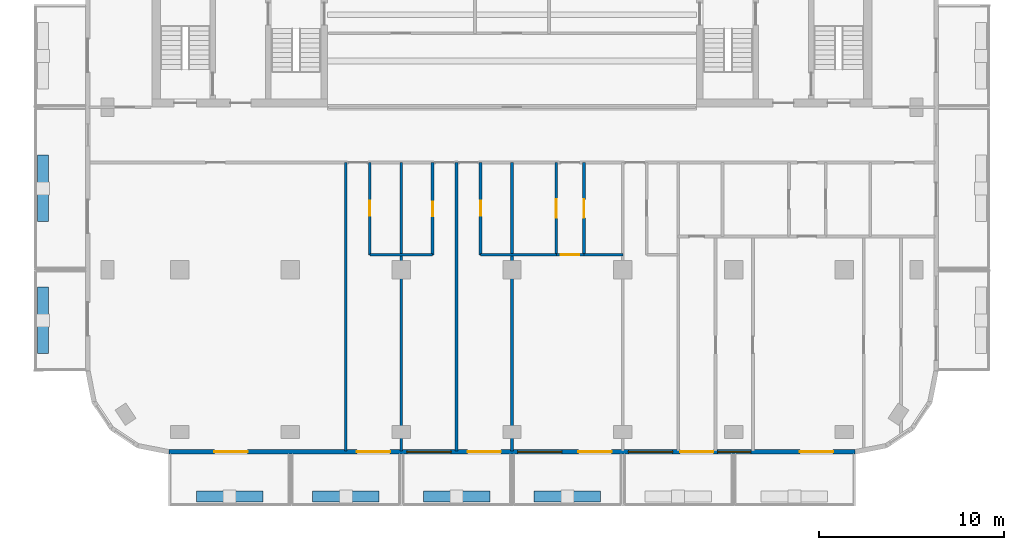
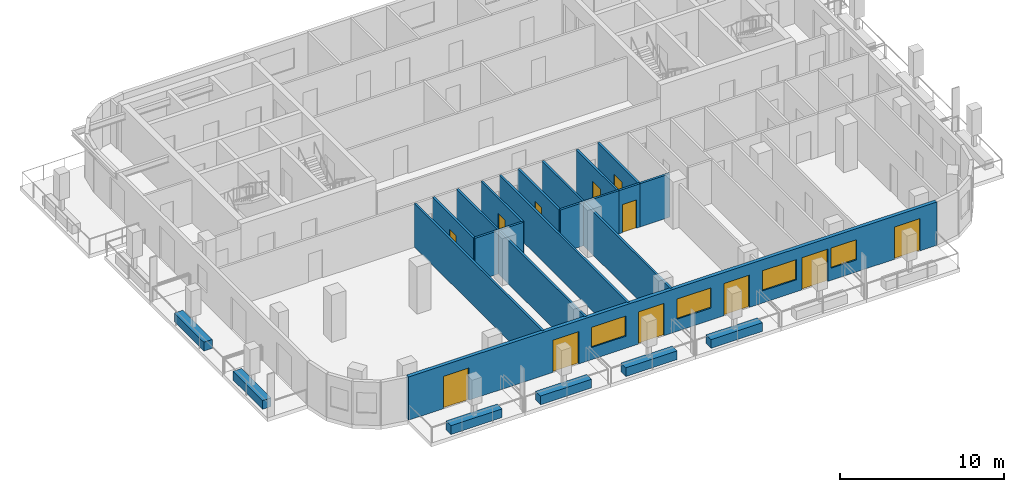
# One storey, part 2 of 11: 20 walls, 12 doors, 4 windows, 16 openings.
"""IFC4 building model written with IfcOpenShell, lengths in metres."""

from ifc_helpers import new_model, si_unit, direction, frame, frame_2d, origin, place, context, subcontext, project, spatial, rectangle, extrude, material, layer, layer_set, type_object, element, fill, save


model = new_model("IFC4")

# Units and contexts
model_context = context("Model", 3, precision=1e-05, world=origin(), true_north=direction((0.0, 1.0)))
body_context = subcontext(model_context, "Body", "Model", "MODEL_VIEW")
ifc_project = project(units=[si_unit("LENGTHUNIT", "METRE"), si_unit("AREAUNIT", "SQUARE_METRE"), si_unit("VOLUMEUNIT", "CUBIC_METRE"), si_unit("PLANEANGLEUNIT", "RADIAN"), si_unit("MASSUNIT", "GRAM", prefix="KILO")], contexts=[model_context])

# Site, building, storey
site_placement = place(None, origin())
site = spatial("IfcSite", under=ifc_project, at=site_placement, CompositionType="ELEMENT")
building_placement = place(site_placement, origin())
building = spatial("IfcBuilding", under=site, at=building_placement, Name="Torana Hotel and Residences", CompositionType="ELEMENT")
storey_placement = place(building_placement, frame((0.0, 0.0, 266.60009765625)))
storey = spatial("IfcBuildingStorey", under=building, at=storey_placement, Name="L70", CompositionType="ELEMENT", Elevation=266.60009765625)

# Wall, openings, doors, windows
ifc_material_1 = material(Name="Black aluminium composite panel", Category="aluminium")
ifc_layer_1 = layer(ifc_material_1, 0.00390625, Name="Cladding", Category="cladding")
ifc_material_2 = material(Name="Ventilated air cavity")
ifc_layer_2 = layer(ifc_material_2, 0.0400390625, Name="Ventilated cavity", Category="cavity")
ifc_material_3 = material(Name="Mineral wool insulation")
ifc_layer_3 = layer(ifc_material_3, 0.090087890625, Name="Insulation", Category="insulation")
ifc_material_4 = material(Name="Steel S280GD", Category="steel")
ifc_layer_4 = layer(ifc_material_4, 0.092041015625, Name="Steel stud frame", Category="structure")
ifc_material_5 = material(Name="Fire rated plasterboard")
ifc_layer_5 = layer(ifc_material_5, 0.011962890625, Name="Inner board", Category="finish")
ifc_layer_6 = layer(ifc_material_5, 0.011962890625, Name="Second board", Category="finish")
ifc_layer_set_1 = layer_set([ifc_layer_1, ifc_layer_2, ifc_layer_3, ifc_layer_4, ifc_layer_5, ifc_layer_6], Name="EW1 EXTERNAL WALL BLACK METAL CLAD 250")
wall_type_1 = type_object("IfcWallType", Name="EW1 EXTERNAL WALL BLACK METAL CLAD 250", PredefinedType="SOLIDWALL", material=ifc_layer_set_1)
wall_1_placement = place(storey_placement, frame((-18.575439453125, -33.675048828125, 0.0), z_axis=(0.0, 0.0, 1.0), x_axis=(1.0, 0.0, 0.0)))
wall_1 = element("IfcWall", 1, at=wall_1_placement, inside=storey, type_object=wall_type_1, Name="External wall L70 e0.14", PredefinedType="SOLIDWALL", context=body_context, shape_type="SweptSolid", body=[
    extrude(rectangle(XDim=37.15087890625, YDim=0.25, at=frame_2d((18.575439453125, 0.0))), origin(), (0.0, 0.0, 1.0), 3.219970703125),
])
opening_1_placement = place(wall_1_placement, frame((2.450439453125, 0.0, 0.0)))
opening_1 = element("IfcOpeningElement", 2, at=opening_1_placement, cuts=wall_1, Name="Opening L70-E01", PredefinedType="OPENING", context=body_context, shape_type="SweptSolid", body=[
    extrude(rectangle(XDim=1.800048828125, YDim=2.39990234375, at=frame_2d((0.89990234375, 1.199951171875))), frame((0.0, 0.135009765625, 0.0), z_axis=(0.0, -1.0, 0.0), x_axis=(1.0, 0.0, 0.0)), (0.0, 0.0, 1.0), 0.27001953125),
])
opening_2_placement = place(wall_1_placement, frame((10.17529296875, 0.0, 0.0)))
opening_2 = element("IfcOpeningElement", 3, at=opening_2_placement, cuts=wall_1, Name="Opening L70-E02", PredefinedType="OPENING", context=body_context, shape_type="SweptSolid", body=[
    extrude(rectangle(XDim=1.800048828125, YDim=2.39990234375, at=frame_2d((0.89990234375, 1.199951171875))), frame((0.0, 0.135009765625, 0.0), z_axis=(0.0, -1.0, 0.0), x_axis=(1.0, 0.0, 0.0)), (0.0, 0.0, 1.0), 0.27001953125),
])
opening_3_placement = place(wall_1_placement, frame((12.87548828125, 0.0, 0.89990234375)))
opening_3 = element("IfcOpeningElement", 4, at=opening_3_placement, cuts=wall_1, Name="Opening W3", PredefinedType="OPENING", context=body_context, shape_type="SweptSolid", body=[
    extrude(rectangle(XDim=2.39990234375, YDim=1.5, at=frame_2d((1.199951171875, 0.75))), frame((0.0, 0.135009765625, 0.0), z_axis=(0.0, -1.0, 0.0), x_axis=(1.0, 0.0, 0.0)), (0.0, 0.0, 1.0), 0.27001953125),
])
opening_4_placement = place(wall_1_placement, frame((16.17529296875, 0.0, 0.0)))
opening_4 = element("IfcOpeningElement", 5, at=opening_4_placement, cuts=wall_1, Name="Opening L70-E03", PredefinedType="OPENING", context=body_context, shape_type="SweptSolid", body=[
    extrude(rectangle(XDim=1.800048828125, YDim=2.39990234375, at=frame_2d((0.89990234375, 1.199951171875))), frame((0.0, 0.135009765625, 0.0), z_axis=(0.0, -1.0, 0.0), x_axis=(1.0, 0.0, 0.0)), (0.0, 0.0, 1.0), 0.27001953125),
])
opening_5_placement = place(wall_1_placement, frame((18.87548828125, 0.0, 0.89990234375)))
opening_5 = element("IfcOpeningElement", 6, at=opening_5_placement, cuts=wall_1, Name="Opening W3", PredefinedType="OPENING", context=body_context, shape_type="SweptSolid", body=[
    extrude(rectangle(XDim=2.39990234375, YDim=1.5, at=frame_2d((1.199951171875, 0.75))), frame((0.0, 0.135009765625, 0.0), z_axis=(0.0, -1.0, 0.0), x_axis=(1.0, 0.0, 0.0)), (0.0, 0.0, 1.0), 0.27001953125),
])
opening_6_placement = place(wall_1_placement, frame((22.17529296875, 0.0, 0.0)))
opening_6 = element("IfcOpeningElement", 7, at=opening_6_placement, cuts=wall_1, Name="Opening L70-E04", PredefinedType="OPENING", context=body_context, shape_type="SweptSolid", body=[
    extrude(rectangle(XDim=1.800048828125, YDim=2.39990234375, at=frame_2d((0.89990234375, 1.199951171875))), frame((0.0, 0.135009765625, 0.0), z_axis=(0.0, -1.0, 0.0), x_axis=(1.0, 0.0, 0.0)), (0.0, 0.0, 1.0), 0.27001953125),
])
opening_7_placement = place(wall_1_placement, frame((24.87548828125, 0.0, 0.89990234375)))
opening_7 = element("IfcOpeningElement", 8, at=opening_7_placement, cuts=wall_1, Name="Opening W3", PredefinedType="OPENING", context=body_context, shape_type="SweptSolid", body=[
    extrude(rectangle(XDim=2.39990234375, YDim=1.5, at=frame_2d((1.199951171875, 0.75))), frame((0.0, 0.135009765625, 0.0), z_axis=(0.0, -1.0, 0.0), x_axis=(1.0, 0.0, 0.0)), (0.0, 0.0, 1.0), 0.27001953125),
])
opening_8_placement = place(wall_1_placement, frame((27.6875, 0.0, 0.0)))
opening_8 = element("IfcOpeningElement", 9, at=opening_8_placement, cuts=wall_1, Name="Opening L70-E05", PredefinedType="OPENING", context=body_context, shape_type="SweptSolid", body=[
    extrude(rectangle(XDim=1.800048828125, YDim=2.39990234375, at=frame_2d((0.89990234375, 1.199951171875))), frame((0.0, 0.135009765625, 0.0), z_axis=(0.0, -1.0, 0.0), x_axis=(1.0, 0.0, 0.0)), (0.0, 0.0, 1.0), 0.27001953125),
])
opening_9_placement = place(wall_1_placement, frame((29.71337890625, 0.0, 0.89990234375)))
opening_9 = element("IfcOpeningElement", 10, at=opening_9_placement, cuts=wall_1, Name="Opening W4", PredefinedType="OPENING", context=body_context, shape_type="SweptSolid", body=[
    extrude(rectangle(XDim=1.800048828125, YDim=1.5, at=frame_2d((0.89990234375, 0.75))), frame((0.0, 0.135009765625, 0.0), z_axis=(0.0, -1.0, 0.0), x_axis=(1.0, 0.0, 0.0)), (0.0, 0.0, 1.0), 0.27001953125),
])
opening_10_placement = place(wall_1_placement, frame((34.17529296875, 0.0, 0.0)))
opening_10 = element("IfcOpeningElement", 11, at=opening_10_placement, cuts=wall_1, Name="Opening L70-E06", PredefinedType="OPENING", context=body_context, shape_type="SweptSolid", body=[
    extrude(rectangle(XDim=1.800048828125, YDim=2.39990234375, at=frame_2d((0.89990234375, 1.199951171875))), frame((0.0, 0.135009765625, 0.0), z_axis=(0.0, -1.0, 0.0), x_axis=(1.0, 0.0, 0.0)), (0.0, 0.0, 1.0), 0.27001953125),
])
ifc_material_6 = material(Name="Dark glass in black aluminium frame", Category="aluminium")
door_type_1 = type_object("IfcDoorType", Name="DB1 BALCONY DOOR 1800x2400", OperationType="DOUBLE_DOOR_SINGLE_SWING", PredefinedType="DOOR", material=ifc_material_6)
door_1_placement = place(opening_1_placement, origin())
door_1 = element("IfcDoor", 12, at=door_1_placement, inside=storey, type_object=door_type_1, Name="Balcony door L70", OperationType="DOUBLE_DOOR_SINGLE_SWING", OverallHeight=2.39990234375, OverallWidth=1.800048828125, PredefinedType="DOOR", context=body_context, shape_type="SweptSolid", body=[
    extrude(rectangle(XDim=1.800048828125, YDim=2.39990234375, at=frame_2d((0.89990234375, 1.199951171875))), frame((0.0, 0.02490234375, 0.0), z_axis=(0.0, -1.0, 0.0), x_axis=(1.0, 0.0, 0.0)), (0.0, 0.0, 1.0), 0.050048828125),
])
fill(opening_1, door_1)
door_2_placement = place(opening_2_placement, origin())
door_2 = element("IfcDoor", 13, at=door_2_placement, inside=storey, type_object=door_type_1, Name="Balcony door L70", OperationType="DOUBLE_DOOR_SINGLE_SWING", OverallHeight=2.39990234375, OverallWidth=1.800048828125, PredefinedType="DOOR", context=body_context, shape_type="SweptSolid", body=[
    extrude(rectangle(XDim=1.800048828125, YDim=2.39990234375, at=frame_2d((0.89990234375, 1.199951171875))), frame((0.0, 0.02490234375, 0.0), z_axis=(0.0, -1.0, 0.0), x_axis=(1.0, 0.0, 0.0)), (0.0, 0.0, 1.0), 0.050048828125),
])
fill(opening_2, door_2)
door_3_placement = place(opening_4_placement, origin())
door_3 = element("IfcDoor", 14, at=door_3_placement, inside=storey, type_object=door_type_1, Name="Balcony door L70", OperationType="DOUBLE_DOOR_SINGLE_SWING", OverallHeight=2.39990234375, OverallWidth=1.800048828125, PredefinedType="DOOR", context=body_context, shape_type="SweptSolid", body=[
    extrude(rectangle(XDim=1.800048828125, YDim=2.39990234375, at=frame_2d((0.89990234375, 1.199951171875))), frame((0.0, 0.02490234375, 0.0), z_axis=(0.0, -1.0, 0.0), x_axis=(1.0, 0.0, 0.0)), (0.0, 0.0, 1.0), 0.050048828125),
])
fill(opening_4, door_3)
door_4_placement = place(opening_6_placement, origin())
door_4 = element("IfcDoor", 15, at=door_4_placement, inside=storey, type_object=door_type_1, Name="Balcony door L70", OperationType="DOUBLE_DOOR_SINGLE_SWING", OverallHeight=2.39990234375, OverallWidth=1.800048828125, PredefinedType="DOOR", context=body_context, shape_type="SweptSolid", body=[
    extrude(rectangle(XDim=1.800048828125, YDim=2.39990234375, at=frame_2d((0.89990234375, 1.199951171875))), frame((0.0, 0.02490234375, 0.0), z_axis=(0.0, -1.0, 0.0), x_axis=(1.0, 0.0, 0.0)), (0.0, 0.0, 1.0), 0.050048828125),
])
fill(opening_6, door_4)
door_5_placement = place(opening_8_placement, origin())
door_5 = element("IfcDoor", 16, at=door_5_placement, inside=storey, type_object=door_type_1, Name="Balcony door L70", OperationType="DOUBLE_DOOR_SINGLE_SWING", OverallHeight=2.39990234375, OverallWidth=1.800048828125, PredefinedType="DOOR", context=body_context, shape_type="SweptSolid", body=[
    extrude(rectangle(XDim=1.800048828125, YDim=2.39990234375, at=frame_2d((0.89990234375, 1.199951171875))), frame((0.0, 0.02490234375, 0.0), z_axis=(0.0, -1.0, 0.0), x_axis=(1.0, 0.0, 0.0)), (0.0, 0.0, 1.0), 0.050048828125),
])
fill(opening_8, door_5)
door_6_placement = place(opening_10_placement, origin())
door_6 = element("IfcDoor", 17, at=door_6_placement, inside=storey, type_object=door_type_1, Name="Balcony door L70", OperationType="DOUBLE_DOOR_SINGLE_SWING", OverallHeight=2.39990234375, OverallWidth=1.800048828125, PredefinedType="DOOR", context=body_context, shape_type="SweptSolid", body=[
    extrude(rectangle(XDim=1.800048828125, YDim=2.39990234375, at=frame_2d((0.89990234375, 1.199951171875))), frame((0.0, 0.02490234375, 0.0), z_axis=(0.0, -1.0, 0.0), x_axis=(1.0, 0.0, 0.0)), (0.0, 0.0, 1.0), 0.050048828125),
])
fill(opening_10, door_6)
ifc_material_7 = material(Name="Dark glass in black aluminium frame", Category="aluminium")
window_type_1 = type_object("IfcWindowType", Name="W3 RESIDENCE WINDOW 2400x1500", PartitioningType="SINGLE_PANEL", PredefinedType="WINDOW", material=ifc_material_7)
window_1_placement = place(opening_3_placement, origin())
window_1 = element("IfcWindow", 18, at=window_1_placement, inside=storey, type_object=window_type_1, Name="Window L70", OverallHeight=1.5, OverallWidth=2.39990234375, PartitioningType="SINGLE_PANEL", PredefinedType="WINDOW", context=body_context, shape_type="SweptSolid", body=[
    extrude(rectangle(XDim=2.39990234375, YDim=1.5, at=frame_2d((1.199951171875, 0.75))), frame((0.0, 0.030029296875, 0.0), z_axis=(0.0, -1.0, 0.0), x_axis=(1.0, 0.0, 0.0)), (0.0, 0.0, 1.0), 0.06005859375),
])
fill(opening_3, window_1)
window_2_placement = place(opening_5_placement, origin())
window_2 = element("IfcWindow", 19, at=window_2_placement, inside=storey, type_object=window_type_1, Name="Window L70", OverallHeight=1.5, OverallWidth=2.39990234375, PartitioningType="SINGLE_PANEL", PredefinedType="WINDOW", context=body_context, shape_type="SweptSolid", body=[
    extrude(rectangle(XDim=2.39990234375, YDim=1.5, at=frame_2d((1.199951171875, 0.75))), frame((0.0, 0.030029296875, 0.0), z_axis=(0.0, -1.0, 0.0), x_axis=(1.0, 0.0, 0.0)), (0.0, 0.0, 1.0), 0.06005859375),
])
fill(opening_5, window_2)
window_3_placement = place(opening_7_placement, origin())
window_3 = element("IfcWindow", 20, at=window_3_placement, inside=storey, type_object=window_type_1, Name="Window L70", OverallHeight=1.5, OverallWidth=2.39990234375, PartitioningType="SINGLE_PANEL", PredefinedType="WINDOW", context=body_context, shape_type="SweptSolid", body=[
    extrude(rectangle(XDim=2.39990234375, YDim=1.5, at=frame_2d((1.199951171875, 0.75))), frame((0.0, 0.030029296875, 0.0), z_axis=(0.0, -1.0, 0.0), x_axis=(1.0, 0.0, 0.0)), (0.0, 0.0, 1.0), 0.06005859375),
])
fill(opening_7, window_3)
ifc_material_8 = material(Name="Dark glass in black aluminium frame", Category="aluminium")
window_type_2 = type_object("IfcWindowType", Name="W4 RESIDENCE WINDOW NARROW 1800x1500", PartitioningType="SINGLE_PANEL", PredefinedType="WINDOW", material=ifc_material_8)
window_4_placement = place(opening_9_placement, origin())
window_4 = element("IfcWindow", 21, at=window_4_placement, inside=storey, type_object=window_type_2, Name="Window L70", OverallHeight=1.5, OverallWidth=1.800048828125, PartitioningType="SINGLE_PANEL", PredefinedType="WINDOW", context=body_context, shape_type="SweptSolid", body=[
    extrude(rectangle(XDim=1.800048828125, YDim=1.5, at=frame_2d((0.89990234375, 0.75))), frame((0.0, 0.030029296875, 0.0), z_axis=(0.0, -1.0, 0.0), x_axis=(1.0, 0.0, 0.0)), (0.0, 0.0, 1.0), 0.06005859375),
])
fill(opening_9, window_4)

# Wall, opening, door
ifc_material_9 = material(Name="Gypsum plaster")
ifc_layer_7 = layer(ifc_material_9, 0.014892578125, Name="Plaster", Category="finish")
ifc_material_10 = material(Name="Concrete blockwork", Category="masonry")
ifc_layer_8 = layer(ifc_material_10, 0.1201171875, Name="Blockwork", Category="structure")
ifc_layer_9 = layer(ifc_material_9, 0.014892578125, Name="Plaster", Category="finish")
ifc_layer_set_2 = layer_set([ifc_layer_7, ifc_layer_8, ifc_layer_9], Name="FIRE PARTITION 150 BLOCKWORK")
wall_type_2 = type_object("IfcWallType", Name="FIRE PARTITION 150 BLOCKWORK", PredefinedType="PARTITIONING", material=ifc_layer_set_2)
wall_2_placement = place(storey_placement, frame((3.89990234375, -23.0, 0.0), z_axis=(0.0, 0.0, 1.0), x_axis=(0.0, 1.0, 0.0)))
wall_2 = element("IfcWall", 22, at=wall_2_placement, inside=storey, type_object=wall_type_2, Name="Partition L70", PredefinedType="PARTITIONING", context=body_context, shape_type="SweptSolid", body=[
    extrude(rectangle(XDim=5.0, YDim=0.14990234375, at=frame_2d((2.5, 0.0))), origin(), (0.0, 0.0, 1.0), 3.219970703125),
])
opening_11_placement = place(wall_2_placement, frame((2.0, 0.0, 0.0)))
opening_11 = element("IfcOpeningElement", 23, at=opening_11_placement, cuts=wall_2, Name="Opening L70-41", PredefinedType="OPENING", context=body_context, shape_type="SweptSolid", body=[
    extrude(rectangle(XDim=1.0, YDim=2.10009765625, at=frame_2d((0.5, 1.050048828125))), frame((0.0, 0.0849609375, 0.0), z_axis=(0.0, -1.0, 0.0), x_axis=(1.0, 0.0, 0.0)), (0.0, 0.0, 1.0), 0.169921875),
])
ifc_material_11 = material(Name="Steel S235", Category="steel")
door_type_2 = type_object("IfcDoorType", Name="ENTRY FIRE DOOR D6 1000x2100", OperationType="SINGLE_SWING_LEFT", PredefinedType="DOOR", material=ifc_material_11)
door_7_placement = place(opening_11_placement, frame((0.5, 0.0, 0.0), z_axis=(0.0, 0.0, 1.0), x_axis=(-1.0, 0.0, 0.0)))
door_7 = element("IfcDoor", 24, at=door_7_placement, inside=storey, type_object=door_type_2, Name="Door L70", OperationType="SINGLE_SWING_LEFT", OverallHeight=2.10009765625, OverallWidth=1.0, PredefinedType="DOOR", context=body_context, shape_type="SweptSolid", body=[
    extrude(rectangle(XDim=1.0, YDim=2.10009765625, at=frame_2d((0.0, 1.050048828125))), frame((0.0, -0.02490234375, 0.0), z_axis=(0.0, 1.0, 0.0), x_axis=(-1.0, 0.0, 0.0)), (0.0, 0.0, 1.0), 0.050048828125),
])
fill(opening_11, door_7)

wall_3_placement = place(storey_placement, frame((2.39990234375, -23.0, 0.0), z_axis=(0.0, 0.0, 1.0), x_axis=(0.0, 1.0, 0.0)))
wall_3 = element("IfcWall", 25, at=wall_3_placement, inside=storey, type_object=wall_type_2, Name="Partition L70", PredefinedType="PARTITIONING", context=body_context, shape_type="SweptSolid", body=[
    extrude(rectangle(XDim=5.0, YDim=0.14990234375, at=frame_2d((2.5, 0.0))), origin(), (0.0, 0.0, 1.0), 3.219970703125),
])
opening_12_placement = place(wall_3_placement, frame((2.0, 0.0, 0.0)))
opening_12 = element("IfcOpeningElement", 26, at=opening_12_placement, cuts=wall_3, Name="Opening L70-40", PredefinedType="OPENING", context=body_context, shape_type="SweptSolid", body=[
    extrude(rectangle(XDim=1.0, YDim=2.10009765625, at=frame_2d((0.5, 1.050048828125))), frame((0.0, 0.0849609375, 0.0), z_axis=(0.0, -1.0, 0.0), x_axis=(1.0, 0.0, 0.0)), (0.0, 0.0, 1.0), 0.169921875),
])
door_8_placement = place(opening_12_placement, origin())
door_8 = element("IfcDoor", 27, at=door_8_placement, inside=storey, type_object=door_type_2, Name="Door L70", OperationType="SINGLE_SWING_RIGHT", OverallHeight=2.10009765625, OverallWidth=1.0, PredefinedType="DOOR", context=body_context, shape_type="SweptSolid", body=[
    extrude(rectangle(XDim=1.0, YDim=2.10009765625, at=frame_2d((0.5, 1.050048828125))), frame((0.0, 0.02490234375, 0.0), z_axis=(0.0, -1.0, 0.0), x_axis=(1.0, 0.0, 0.0)), (0.0, 0.0, 1.0), 0.050048828125),
])
fill(opening_12, door_8)

wall_4_placement = place(storey_placement, frame((2.39990234375, -23.0, 0.0), z_axis=(0.0, 0.0, 1.0), x_axis=(1.0, 0.0, 0.0)))
wall_4 = element("IfcWall", 28, at=wall_4_placement, inside=storey, type_object=wall_type_2, Name="Partition L70", PredefinedType="PARTITIONING", context=body_context, shape_type="SweptSolid", body=[
    extrude(rectangle(XDim=1.5, YDim=0.14990234375, at=frame_2d((0.75, 0.0))), origin(), (0.0, 0.0, 1.0), 3.219970703125),
])
opening_13_placement = place(wall_4_placement, frame((0.25, 0.0, 0.0)))
opening_13 = element("IfcOpeningElement", 29, at=opening_13_placement, cuts=wall_4, Name="Opening L70-42", PredefinedType="OPENING", context=body_context, shape_type="SweptSolid", body=[
    extrude(rectangle(XDim=1.0, YDim=2.10009765625, at=frame_2d((0.5, 1.050048828125))), frame((0.0, 0.0849609375, 0.0), z_axis=(0.0, -1.0, 0.0), x_axis=(1.0, 0.0, 0.0)), (0.0, 0.0, 1.0), 0.169921875),
])
door_9_placement = place(opening_13_placement, frame((0.5, 0.0, 0.0), z_axis=(0.0, 0.0, 1.0), x_axis=(-1.0, 0.0, 0.0)))
door_9 = element("IfcDoor", 30, at=door_9_placement, inside=storey, type_object=door_type_2, Name="Door L70", OperationType="SINGLE_SWING_LEFT", OverallHeight=2.10009765625, OverallWidth=1.0, PredefinedType="DOOR", context=body_context, shape_type="SweptSolid", body=[
    extrude(rectangle(XDim=1.0, YDim=2.10009765625, at=frame_2d((0.0, 1.050048828125))), frame((0.0, -0.02490234375, 0.0), z_axis=(0.0, 1.0, 0.0), x_axis=(-1.0, 0.0, 0.0)), (0.0, 0.0, 1.0), 0.050048828125),
])
fill(opening_13, door_9)

# Wall
ifc_material_12 = material(Name="Gypsum plasterboard")
ifc_layer_10 = layer(ifc_material_12, 0.012451171875, Name="Plasterboard", Category="finish")
ifc_layer_11 = layer(ifc_material_12, 0.012451171875, Name="Plasterboard", Category="finish")
ifc_layer_12 = layer(ifc_material_4, 0.10009765625, Name="Steel studs with mineral wool", Category="insulation")
ifc_layer_13 = layer(ifc_material_12, 0.012451171875, Name="Plasterboard", Category="finish")
ifc_layer_14 = layer(ifc_material_12, 0.012451171875, Name="Plasterboard", Category="finish")
ifc_layer_set_3 = layer_set([ifc_layer_10, ifc_layer_11, ifc_layer_12, ifc_layer_13, ifc_layer_14], Name="PARTITION 150 PLASTERBOARD")
wall_type_3 = type_object("IfcWallType", Name="PARTITION 150 PLASTERBOARD", PredefinedType="PARTITIONING", material=ifc_layer_set_3)
wall_5_placement = place(storey_placement, frame((0.0, -33.6201171875, 0.0), z_axis=(0.0, 0.0, 1.0), x_axis=(0.0, 1.0, 0.0)))
element("IfcWall", 31, at=wall_5_placement, inside=storey, type_object=wall_type_3, Name="Partition L70", PredefinedType="PARTITIONING", context=body_context, shape_type="SweptSolid", body=[
    extrude(rectangle(XDim=15.6201171875, YDim=0.14990234375, at=frame_2d((7.81005859375, 0.0))), origin(), (0.0, 0.0, 1.0), 3.219970703125),
])

# Wall, opening, door
wall_6_placement = place(storey_placement, frame((-1.699951171875, -23.0, 0.0), z_axis=(0.0, 0.0, 1.0), x_axis=(0.0, 1.0, 0.0)))
wall_6 = element("IfcWall", 32, at=wall_6_placement, inside=storey, type_object=wall_type_3, Name="Partition L70", PredefinedType="PARTITIONING", context=body_context, shape_type="SweptSolid", body=[
    extrude(rectangle(XDim=5.0, YDim=0.14990234375, at=frame_2d((2.5, 0.0))), origin(), (0.0, 0.0, 1.0), 3.219970703125),
])
opening_14_placement = place(wall_6_placement, frame((2.1201171875, 0.0, 0.0)))
opening_14 = element("IfcOpeningElement", 33, at=opening_14_placement, cuts=wall_6, Name="Opening L70-39", PredefinedType="OPENING", context=body_context, shape_type="SweptSolid", body=[
    extrude(rectangle(XDim=0.800048828125, YDim=2.10009765625, at=frame_2d((0.39990234375, 1.050048828125))), frame((0.0, 0.0849609375, 0.0), z_axis=(0.0, -1.0, 0.0), x_axis=(1.0, 0.0, 0.0)), (0.0, 0.0, 1.0), 0.169921875),
])
ifc_material_13 = material(Name="Timber door, painted", Category="wood")
door_type_3 = type_object("IfcDoorType", Name="BATH DOOR D13 800x2100", OperationType="SINGLE_SWING_LEFT", PredefinedType="DOOR", material=ifc_material_13)
door_10_placement = place(opening_14_placement, origin())
door_10 = element("IfcDoor", 34, at=door_10_placement, inside=storey, type_object=door_type_3, Name="Door L70", OperationType="SINGLE_SWING_RIGHT", OverallHeight=2.10009765625, OverallWidth=0.800048828125, PredefinedType="DOOR", context=body_context, shape_type="SweptSolid", body=[
    extrude(rectangle(XDim=0.800048828125, YDim=2.10009765625, at=frame_2d((0.39990234375, 1.050048828125))), frame((0.0, 0.02490234375, 0.0), z_axis=(0.0, -1.0, 0.0), x_axis=(1.0, 0.0, 0.0)), (0.0, 0.0, 1.0), 0.050048828125),
])
fill(opening_14, door_10)

# Wall
wall_7_placement = place(storey_placement, frame((-3.0, -33.6201171875, 0.0), z_axis=(0.0, 0.0, 1.0), x_axis=(0.0, 1.0, 0.0)))
element("IfcWall", 35, at=wall_7_placement, inside=storey, type_object=wall_type_3, Name="Partition L70", PredefinedType="PARTITIONING", context=body_context, shape_type="SweptSolid", body=[
    extrude(rectangle(XDim=15.6201171875, YDim=0.14990234375, at=frame_2d((7.81005859375, 0.0))), origin(), (0.0, 0.0, 1.0), 3.219970703125),
])

# Wall, opening, door
wall_8_placement = place(storey_placement, frame((-4.300048828125, -23.0, 0.0), z_axis=(0.0, 0.0, 1.0), x_axis=(0.0, 1.0, 0.0)))
wall_8 = element("IfcWall", 36, at=wall_8_placement, inside=storey, type_object=wall_type_3, Name="Partition L70", PredefinedType="PARTITIONING", context=body_context, shape_type="SweptSolid", body=[
    extrude(rectangle(XDim=5.0, YDim=0.14990234375, at=frame_2d((2.5, 0.0))), origin(), (0.0, 0.0, 1.0), 3.219970703125),
])
opening_15_placement = place(wall_8_placement, frame((2.080078125, 0.0, 0.0)))
opening_15 = element("IfcOpeningElement", 37, at=opening_15_placement, cuts=wall_8, Name="Opening L70-38", PredefinedType="OPENING", context=body_context, shape_type="SweptSolid", body=[
    extrude(rectangle(XDim=0.800048828125, YDim=2.10009765625, at=frame_2d((0.39990234375, 1.050048828125))), frame((0.0, 0.0849609375, 0.0), z_axis=(0.0, -1.0, 0.0), x_axis=(1.0, 0.0, 0.0)), (0.0, 0.0, 1.0), 0.169921875),
])
door_11_placement = place(opening_15_placement, origin())
door_11 = element("IfcDoor", 38, at=door_11_placement, inside=storey, type_object=door_type_3, Name="Door L70", OperationType="SINGLE_SWING_RIGHT", OverallHeight=2.10009765625, OverallWidth=0.800048828125, PredefinedType="DOOR", context=body_context, shape_type="SweptSolid", body=[
    extrude(rectangle(XDim=0.800048828125, YDim=2.10009765625, at=frame_2d((0.39990234375, 1.050048828125))), frame((0.0, 0.02490234375, 0.0), z_axis=(0.0, -1.0, 0.0), x_axis=(1.0, 0.0, 0.0)), (0.0, 0.0, 1.0), 0.050048828125),
])
fill(opening_15, door_11)

# Wall
wall_9_placement = place(storey_placement, frame((-6.0, -33.6201171875, 0.0), z_axis=(0.0, 0.0, 1.0), x_axis=(0.0, 1.0, 0.0)))
element("IfcWall", 39, at=wall_9_placement, inside=storey, type_object=wall_type_3, Name="Partition L70", PredefinedType="PARTITIONING", context=body_context, shape_type="SweptSolid", body=[
    extrude(rectangle(XDim=15.6201171875, YDim=0.14990234375, at=frame_2d((7.81005859375, 0.0))), origin(), (0.0, 0.0, 1.0), 3.219970703125),
])

# Wall, opening, door
wall_10_placement = place(storey_placement, frame((-7.699951171875, -23.0, 0.0), z_axis=(0.0, 0.0, 1.0), x_axis=(0.0, 1.0, 0.0)))
wall_10 = element("IfcWall", 40, at=wall_10_placement, inside=storey, type_object=wall_type_3, Name="Partition L70", PredefinedType="PARTITIONING", context=body_context, shape_type="SweptSolid", body=[
    extrude(rectangle(XDim=5.0, YDim=0.14990234375, at=frame_2d((2.5, 0.0))), origin(), (0.0, 0.0, 1.0), 3.219970703125),
])
opening_16_placement = place(wall_10_placement, frame((2.1201171875, 0.0, 0.0)))
opening_16 = element("IfcOpeningElement", 41, at=opening_16_placement, cuts=wall_10, Name="Opening L70-37", PredefinedType="OPENING", context=body_context, shape_type="SweptSolid", body=[
    extrude(rectangle(XDim=0.800048828125, YDim=2.10009765625, at=frame_2d((0.39990234375, 1.050048828125))), frame((0.0, 0.0849609375, 0.0), z_axis=(0.0, -1.0, 0.0), x_axis=(1.0, 0.0, 0.0)), (0.0, 0.0, 1.0), 0.169921875),
])
door_12_placement = place(opening_16_placement, origin())
door_12 = element("IfcDoor", 42, at=door_12_placement, inside=storey, type_object=door_type_3, Name="Door L70", OperationType="SINGLE_SWING_RIGHT", OverallHeight=2.10009765625, OverallWidth=0.800048828125, PredefinedType="DOOR", context=body_context, shape_type="SweptSolid", body=[
    extrude(rectangle(XDim=0.800048828125, YDim=2.10009765625, at=frame_2d((0.39990234375, 1.050048828125))), frame((0.0, 0.02490234375, 0.0), z_axis=(0.0, -1.0, 0.0), x_axis=(1.0, 0.0, 0.0)), (0.0, 0.0, 1.0), 0.050048828125),
])
fill(opening_16, door_12)

# Walls
wall_11_placement = place(storey_placement, frame((-9.0, -33.6201171875, 0.0), z_axis=(0.0, 0.0, 1.0), x_axis=(0.0, 1.0, 0.0)))
element("IfcWall", 43, at=wall_11_placement, inside=storey, type_object=wall_type_3, Name="Partition L70", PredefinedType="PARTITIONING", context=body_context, shape_type="SweptSolid", body=[
    extrude(rectangle(XDim=15.6201171875, YDim=0.14990234375, at=frame_2d((7.81005859375, 0.0))), origin(), (0.0, 0.0, 1.0), 3.219970703125),
])
wall_12_placement = place(storey_placement, frame((-7.699951171875, -23.0, 0.0), z_axis=(0.0, 0.0, 1.0), x_axis=(1.0, 0.0, 0.0)))
element("IfcWall", 44, at=wall_12_placement, inside=storey, type_object=wall_type_3, Name="Partition L70", PredefinedType="PARTITIONING", context=body_context, shape_type="SweptSolid", body=[
    extrude(rectangle(XDim=3.39990234375, YDim=0.14990234375, at=frame_2d((1.699951171875, 0.0))), origin(), (0.0, 0.0, 1.0), 3.219970703125),
])
wall_13_placement = place(storey_placement, frame((-1.699951171875, -23.0, 0.0), z_axis=(0.0, 0.0, 1.0), x_axis=(1.0, 0.0, 0.0)))
element("IfcWall", 45, at=wall_13_placement, inside=storey, type_object=wall_type_3, Name="Partition L70", PredefinedType="PARTITIONING", context=body_context, shape_type="SweptSolid", body=[
    extrude(rectangle(XDim=4.099853515625, YDim=0.14990234375, at=frame_2d((2.0498046875, 0.0))), origin(), (0.0, 0.0, 1.0), 3.219970703125),
])
wall_14_placement = place(storey_placement, frame((3.89990234375, -23.0, 0.0), z_axis=(0.0, 0.0, 1.0), x_axis=(1.0, 0.0, 0.0)))
element("IfcWall", 46, at=wall_14_placement, inside=storey, type_object=wall_type_3, Name="Partition L70", PredefinedType="PARTITIONING", context=body_context, shape_type="SweptSolid", body=[
    extrude(rectangle(XDim=2.10009765625, YDim=0.14990234375, at=frame_2d((1.050048828125, 0.0))), origin(), (0.0, 0.0, 1.0), 3.219970703125),
])
ifc_material_14 = material(Name="Concrete C40/50 precast", Category="concrete")
ifc_layer_15 = layer(ifc_material_14, 0.10009765625, Name="Planter shell", Category="structure")
ifc_material_15 = material(Name="Root resistant membrane")
ifc_layer_16 = layer(ifc_material_15, 0.00390625, Name="Waterproofing membrane", Category="membrane")
ifc_material_16 = material(Name="Drainage board with filter fleece")
ifc_layer_17 = layer(ifc_material_16, 0.02001953125, Name="Drainage board", Category="drainage")
ifc_material_17 = material(Name="Growing medium")
ifc_layer_18 = layer(ifc_material_17, 0.47607421875, Name="Planting substrate", Category="soil")
ifc_layer_set_4 = layer_set([ifc_layer_15, ifc_layer_16, ifc_layer_17, ifc_layer_18], Name="PL1 BALCONY PLANTER 600")
wall_type_4 = type_object("IfcWallType", Name="PL1 BALCONY PLANTER 600", PredefinedType="USERDEFINED", material=ifc_layer_set_4)
for number, where, z_axis, x_axis, name in (
    (47, (-13.5, -36.10009765625, 0.0), (0.0, 0.0, 1.0), (-1.0, 0.0, 0.0), "Planter 01"),
    (48, (-7.199951171875, -36.10009765625, 0.0), (0.0, 0.0, 1.0), (-1.0, 0.0, 0.0), "Planter 02"),
    (49, (-1.199951171875, -36.10009765625, 0.0), (0.0, 0.0, 1.0), (-1.0, 0.0, 0.0), "Planter 03"),
    (50, (4.800048828125, -36.10009765625, 0.0), (0.0, 0.0, 1.0), (-1.0, 0.0, 0.0), "Planter 04"),
    (51, (-25.39990234375, -28.35009765625, 0.0), (0.0, 0.0, 1.0), (0.0, 1.0, 0.0), "Planter 07"),
):
    element("IfcWall", number, at=place(storey_placement, frame(where, z_axis=z_axis, x_axis=x_axis)), inside=storey, type_object=wall_type_4, Name=name, ObjectType="PLANTER", PredefinedType="USERDEFINED", context=body_context, shape_type="SweptSolid", body=[
        extrude(rectangle(XDim=3.60009765625, YDim=0.60009765625, at=frame_2d((1.800048828125, 0.0))), origin(), (0.0, 0.0, 1.0), 0.64990234375),
    ])
wall_15_placement = place(storey_placement, frame((-25.39990234375, -21.199951171875, 0.0), z_axis=(0.0, 0.0, 1.0), x_axis=(0.0, 1.0, 0.0)))
element("IfcWall", 52, at=wall_15_placement, inside=storey, type_object=wall_type_4, Name="Planter 08", ObjectType="PLANTER", PredefinedType="USERDEFINED", context=body_context, shape_type="SweptSolid", body=[
    extrude(rectangle(XDim=3.599853515625, YDim=0.60009765625, at=frame_2d((1.7998046875, 0.0))), origin(), (0.0, 0.0, 1.0), 0.64990234375),
])

save(model, "model.ifc")
